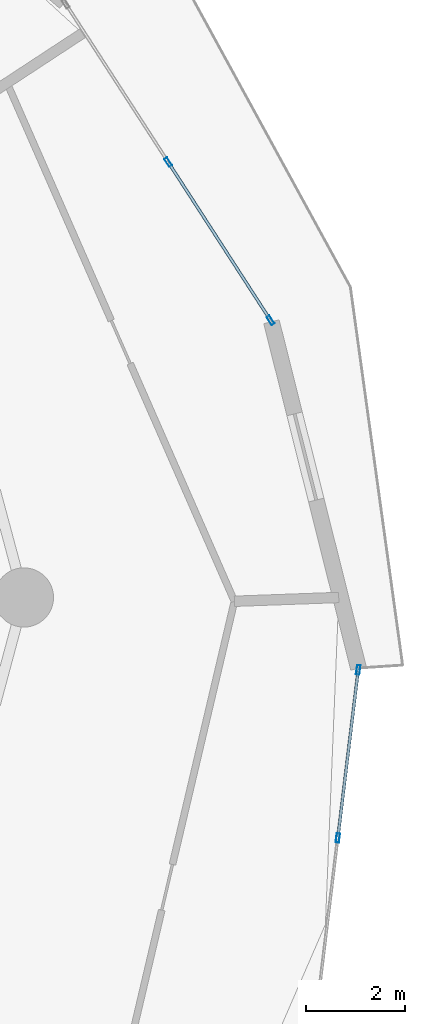
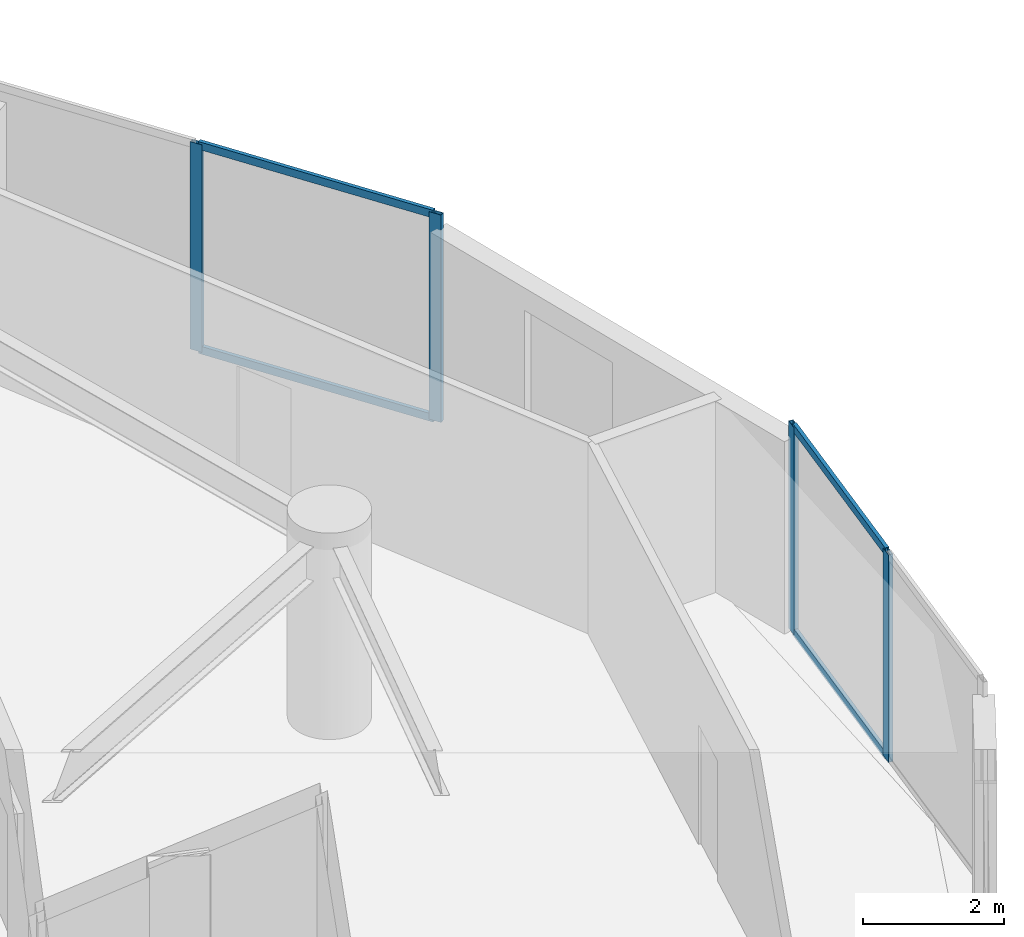
# One storey, part 14 of 26: 8 members, 2 elements without a shape of their own.
"""IFC4 building model written with IfcOpenShell, lengths in metres."""

import ifcopenshell
import ifcopenshell.guid

model = None  # the IFC model being written
_history = None  # IfcOwnerHistory: only IFC2X3 demands one
_inside = {}  # id of a spatial element -> (the spatial element, [elements in it])
_under = {}  # id of a project, library or spatial element -> (it, [spatial elements below it])
_declared = {}  # id of a project -> (the project, [libraries it declares])
_typed = {}  # id of a type object -> (the type object, [elements of that type])
_made_of = {}  # id of a material, layer set ... -> (it, [elements and type objects made of it])


def new_model(schema):
    """Start an empty IFC model of exactly this schema.

    Asked for "IFC4X3", IfcOpenShell would pick the latest addendum, in which some entities
    have other attributes; the version numbers below select the first issue.
    IFC2X3 requires an IfcOwnerHistory on every rooted entity: one is made here for all.
    """
    global model, _history
    if schema == "IFC4X3":
        model = ifcopenshell.file(schema_version=(4, 3, 0, 0))
    else:
        model = ifcopenshell.file(schema=schema)
    _inside.clear()
    _under.clear()
    _declared.clear()
    _typed.clear()
    _made_of.clear()
    _history = None
    if model.schema == "IFC2X3":
        org = make("IfcOrganization", Name="unknown")
        user = make(
            "IfcPersonAndOrganization",
            ThePerson=make("IfcPerson", FamilyName="unknown"),
            TheOrganization=org,
        )
        app = make(
            "IfcApplication",
            ApplicationDeveloper=org,
            Version="unknown",
            ApplicationFullName="unknown",
            ApplicationIdentifier="unknown",
        )
        _history = make(
            "IfcOwnerHistory",
            OwningUser=user,
            OwningApplication=app,
            ChangeAction="ADDED",
            CreationDate=0,
        )
    return model


def make(cls, **values):
    """One entity of the class cls with the attributes given. An attribute that is None is left unset."""
    return model.create_entity(
        cls, **{name: value for name, value in values.items() if value is not None}
    )


def rooted(cls, **values):
    """An entity with a GlobalId (a new one), such as an element, a storey or a relation."""
    return make(cls, GlobalId=ifcopenshell.guid.new(), OwnerHistory=_history, **values)


def si_unit(unit_type, name, prefix=None):
    """IfcSIUnit, for example si_unit("LENGTHUNIT", "METRE", prefix="MILLI")."""
    return make("IfcSIUnit", UnitType=unit_type, Prefix=prefix, Name=name)


def assignment(units):
    """IfcUnitAssignment: the units of a project."""
    return None if units is None else make("IfcUnitAssignment", Units=units)


def point(xyz):
    """IfcCartesianPoint."""
    return None if xyz is None else make("IfcCartesianPoint", Coordinates=xyz)


def direction(xyz):
    """IfcDirection."""
    return None if xyz is None else make("IfcDirection", DirectionRatios=xyz)


def frame(location, z_axis=None, x_axis=None):
    """IfcAxis2Placement3D, a coordinate frame: its origin and axes. An axis left out is left unset."""
    return make(
        "IfcAxis2Placement3D",
        Location=point(location),
        Axis=direction(z_axis),
        RefDirection=direction(x_axis),
    )


def frame_2d(location, x_axis=None):
    """IfcAxis2Placement2D, a coordinate frame in the plane: its origin and x axis."""
    return make(
        "IfcAxis2Placement2D", Location=point(location), RefDirection=direction(x_axis)
    )


def origin():
    """The frame at (0, 0, 0) with its axes left unset."""
    return frame((0.0, 0.0, 0.0))


def origin_2d():
    """The frame at (0, 0) in the plane with its x axis left unset."""
    return frame_2d((0.0, 0.0))


def place(relative_to, where):
    """IfcLocalPlacement: puts the frame where relative to a parent placement (None: the world)."""
    return make(
        "IfcLocalPlacement", PlacementRelTo=relative_to, RelativePlacement=where
    )


def context(
    kind, dimensions, precision=None, world=None, true_north=None, identifier=None
):
    """IfcGeometricRepresentationContext, for example the 3D "Model" context."""
    return make(
        "IfcGeometricRepresentationContext",
        ContextIdentifier=identifier,
        ContextType=kind,
        CoordinateSpaceDimension=dimensions,
        Precision=precision,
        WorldCoordinateSystem=world,
        TrueNorth=true_north,
    )


def subcontext(parent, identifier, kind, view, scale=None):
    """IfcGeometricRepresentationSubContext, for example "Body" below "Model"."""
    return make(
        "IfcGeometricRepresentationSubContext",
        ContextIdentifier=identifier,
        ContextType=kind,
        ParentContext=parent,
        TargetScale=scale,
        TargetView=view,
    )


def project(units=None, contexts=None):
    """IfcProject with its units and contexts."""
    return rooted(
        "IfcProject",
        Name="project",
        RepresentationContexts=contexts,
        UnitsInContext=assignment(units),
    )


def spatial(cls, under=None, at=None, **own):
    """A site, building, storey or space (cls), placed at a placement, below another one or the project."""
    s = rooted(cls, ObjectPlacement=at, **own)
    if under is not None:
        _under.setdefault(under.id(), (under, []))[1].append(s)
    return s


def profile(cls, at=None, kind="AREA", **sizes):
    """A parametric profile (cls). Its sizes go by their IFC names, for example OverallWidth=200.0."""
    return make(cls, ProfileType=kind, Position=at, **sizes)


def hollow_rectangle(**sizes):
    """IfcRectangleHollowProfileDef."""
    return profile("IfcRectangleHollowProfileDef", **sizes)


def extrude(swept, where, along, depth):
    """IfcExtrudedAreaSolid: the profile swept, set in the frame where, extruded along a direction by depth."""
    return make(
        "IfcExtrudedAreaSolid",
        SweptArea=swept,
        Position=where,
        ExtrudedDirection=direction(along),
        Depth=depth,
    )


def shape(context_of_items, identifier, shape_type, items):
    """IfcShapeRepresentation: the items that make up one representation, for example the "Body"."""
    return make(
        "IfcShapeRepresentation",
        ContextOfItems=context_of_items,
        RepresentationIdentifier=identifier,
        RepresentationType=shape_type,
        Items=items,
    )


def source(mapping_origin, context_of_items, identifier, shape_type, items):
    """IfcRepresentationMap: a shape defined once, which mapped items show again and again."""
    return make(
        "IfcRepresentationMap",
        MappingOrigin=mapping_origin,
        MappedRepresentation=shape(context_of_items, identifier, shape_type, items),
    )


def transform(
    local_origin,
    x_axis=None,
    y_axis=None,
    z_axis=None,
    scale=None,
    scale2=None,
    scale3=None,
    uniform=True,
):
    """IfcCartesianTransformationOperator3D, or its non-uniform kind. x_axis, y_axis, z_axis: its Axis1, 2, 3."""
    if uniform:
        return make(
            "IfcCartesianTransformationOperator3D",
            Axis1=direction(x_axis),
            Axis2=direction(y_axis),
            LocalOrigin=point(local_origin),
            Scale=scale,
            Axis3=direction(z_axis),
        )
    return make(
        "IfcCartesianTransformationOperator3DnonUniform",
        Axis1=direction(x_axis),
        Axis2=direction(y_axis),
        LocalOrigin=point(local_origin),
        Scale=scale,
        Axis3=direction(z_axis),
        Scale2=scale2,
        Scale3=scale3,
    )


def mapped(mapping_source, mapping_target):
    """IfcMappedItem: shows the shape of a source again, moved by a transform."""
    return make(
        "IfcMappedItem", MappingSource=mapping_source, MappingTarget=mapping_target
    )


def material(Name=None, Category=None):
    """IfcMaterial."""
    return make("IfcMaterial", Name=Name, Category=Category)


def layer(
    of_material, thickness, ventilated=None, Name=None, Category=None, Priority=None
):
    """IfcMaterialLayer: one layer of a wall or slab, of a material (None: an air gap)."""
    return make(
        "IfcMaterialLayer",
        Material=of_material,
        LayerThickness=thickness,
        IsVentilated=ventilated,
        Name=Name,
        Category=Category,
        Priority=Priority,
    )


def layer_set(layers, Name=None):
    """IfcMaterialLayerSet."""
    return make("IfcMaterialLayerSet", MaterialLayers=layers, LayerSetName=Name)


def material_profile(
    of_material, cross_section, Name=None, Category=None, Priority=None
):
    """IfcMaterialProfile: a cross section and its material."""
    return make(
        "IfcMaterialProfile",
        Name=Name,
        Material=of_material,
        Profile=cross_section,
        Priority=Priority,
        Category=Category,
    )


def profile_set(profiles, Name=None, composite=None):
    """IfcMaterialProfileSet."""
    return make(
        "IfcMaterialProfileSet",
        Name=Name,
        MaterialProfiles=profiles,
        CompositeProfile=composite,
    )


def made_of(thing, what):
    """Note that an element or type object is made of a material, layer set ...; save() writes the relation."""
    if what is not None:
        _made_of.setdefault(what.id(), (what, []))[1].append(thing)
    return thing


def type_object(cls, material=None, **own):
    """A type object (cls), such as IfcWallType, which elements share."""
    return made_of(rooted(cls, **own), material)


def element(
    cls,
    number,
    at=None,
    inside=None,
    cuts=None,
    type_object=None,
    material=None,
    context=None,
    identifier="Body",
    shape_type=None,
    held_by="IfcProductDefinitionShape",
    body=None,
    shapes=None,
    **own,
):
    """One element of the class cls, such as IfcWall. Its Tag is "e" and its number.

    at: its placement. inside: the storey or other place that contains it. cuts: it is an
    opening in that element (IfcRelVoidsElement). A single representation is given by context,
    identifier, shape_type and body (its items); several are given by shapes. held_by: the class
    of the entity that holds the representations. save() writes the other relations.
    """
    e = rooted(cls, Tag="e%d" % number, ObjectPlacement=at, **own)
    if body is not None:
        shapes = [shape(context, identifier, shape_type, body)]
    if shapes is not None:
        e.Representation = make(held_by, Representations=shapes)
    if inside is not None:
        _inside.setdefault(inside.id(), (inside, []))[1].append(e)
    if cuts is not None:
        rooted(
            "IfcRelVoidsElement", RelatingBuildingElement=cuts, RelatedOpeningElement=e
        )
    if type_object is not None:
        _typed.setdefault(type_object.id(), (type_object, []))[1].append(e)
    return made_of(e, material)


def aggregate(whole, parts):
    """IfcRelAggregates: a whole, such as a stair, and the parts it consists of."""
    return rooted("IfcRelAggregates", RelatingObject=whole, RelatedObjects=parts)


def save(model, path):
    """Write the relations noted so far, then the file.

    IfcRelAggregates (storeys below a building ...), IfcRelContainedInSpatialStructure (elements
    in a storey), IfcRelDefinesByType, IfcRelAssociatesMaterial and IfcRelDeclares: one each for
    every whole, place, type object, material and project.
    """
    for whole, parts in _under.values():
        aggregate(whole, parts)
    for where, things in _inside.values():
        rooted(
            "IfcRelContainedInSpatialStructure",
            RelatedElements=things,
            RelatingStructure=where,
        )
    for kind, things in _typed.values():
        rooted("IfcRelDefinesByType", RelatedObjects=things, RelatingType=kind)
    for what, things in _made_of.values():
        rooted("IfcRelAssociatesMaterial", RelatedObjects=things, RelatingMaterial=what)
    for by, libraries in _declared.values():
        rooted("IfcRelDeclares", RelatingContext=by, RelatedDefinitions=libraries)
    model.write(path)


model = new_model("IFC4")

# Units and contexts
model_context = context("Model", 3, precision=1e-05, world=origin(), true_north=direction((0.0, 1.0)))
body_context = subcontext(model_context, "Body", "Model", "MODEL_VIEW")
ifc_project = project(units=[si_unit("LENGTHUNIT", "METRE"), si_unit("AREAUNIT", "SQUARE_METRE"), si_unit("VOLUMEUNIT", "CUBIC_METRE"), si_unit("PLANEANGLEUNIT", "RADIAN"), si_unit("MASSUNIT", "GRAM", prefix="KILO")], contexts=[model_context])

# Site, building, storey
site_placement = place(None, origin())
site = spatial("IfcSite", under=ifc_project, at=site_placement, CompositionType="ELEMENT")
building_placement = place(site_placement, origin())
building = spatial("IfcBuilding", under=site, at=building_placement, Name="Solvirekh Grand Hotel", CompositionType="ELEMENT")
storey_placement = place(building_placement, frame((0.0, 0.0, 68.0)))
storey = spatial("IfcBuildingStorey", under=building, at=storey_placement, Name="L16", CompositionType="ELEMENT", Elevation=68.0)

# Curtain wall, members
ifc_material = material(Name="Anodized Bronze Aluminium 6063-T6", Category="aluminium")
ifc_layer = layer(ifc_material, 0.18994140625)
ifc_layer_set = layer_set([ifc_layer], Name="Anodized Bronze Aluminium 6063-T6")
curtain_wall_type = type_object("IfcCurtainWallType", Name="CW_Sys2_LowZoneFlushBronzeCW", PredefinedType="NOTDEFINED", material=ifc_layer_set)
curtain_wall_1_placement = place(storey_placement, origin())
curtain_wall_1 = element("IfcCurtainWall", 1, at=curtain_wall_1_placement, inside=storey, type_object=curtain_wall_type, Name="L16 unitised bronze-glass curtain wall CW-L16-C01", PredefinedType="NOTDEFINED")
ifc_material_profile_1 = material_profile(ifc_material, hollow_rectangle(XDim=0.070068359375, YDim=0.18994140625, WallThickness=0.0048828125, at=origin_2d()), Name="ALU RHS 190X70X5")
ifc_profile_set_1 = profile_set([ifc_material_profile_1], Name="Anodized Bronze Aluminium 6063-T6")
member_type_1 = type_object("IfcMemberType", Name="CWMullion_Sys2", PredefinedType="MULLION", material=ifc_profile_set_1)
shared_shape_1 = source(origin(), body_context, "Body", "SweptSolid", [
    extrude(hollow_rectangle(XDim=0.070068359375, YDim=0.18994140625, WallThickness=0.0048828125, at=origin_2d()), origin(), (0.0, 0.0, 1.0), 3.60009765625),
])
member_1_placement = place(storey_placement, frame((24.95751953125, -4.8701171875, 0.0), z_axis=(0.0, 0.0, 1.0), x_axis=(-0.992707104248, 0.12055125539, 0.0)))
member_1 = element("IfcMember", 2, at=member_1_placement, type_object=member_type_1, Name="U02 mullion 2", PredefinedType="MULLION", context=body_context, shape_type="MappedRepresentation", body=[
    mapped(shared_shape_1, transform((0.0, 0.0, 0.0), x_axis=(1.0, 0.0, 0.0), y_axis=(0.0, 1.0, 0.0), z_axis=(0.0, 0.0, 1.0), scale=1.0)),
])
member_2_placement = place(storey_placement, frame((25.370849609375, -1.466796875, 0.0), z_axis=(0.0, 0.0, 1.0), x_axis=(-0.992707104248, 0.12055125539, 0.0)))
member_2 = element("IfcMember", 3, at=member_2_placement, type_object=member_type_1, Name="U02 mullion 3", PredefinedType="MULLION", context=body_context, shape_type="MappedRepresentation", body=[
    mapped(shared_shape_1, transform((0.0, 0.0, 0.0), x_axis=(1.0, 0.0, 0.0), y_axis=(0.0, 1.0, 0.0), z_axis=(0.0, 0.0, 1.0), scale=1.0)),
])

curtain_wall_2_placement = place(storey_placement, origin())
curtain_wall_2 = element("IfcCurtainWall", 4, at=curtain_wall_2_placement, inside=storey, type_object=curtain_wall_type, Name="L16 unitised bronze-glass curtain wall CW-L16-C03", PredefinedType="NOTDEFINED")
member_3_placement = place(storey_placement, frame((23.593994140625, 5.6123046875, 0.0), z_axis=(0.0, 0.0, 1.0), x_axis=(-0.839559711127, -0.543267421675, 0.0)))
member_3 = element("IfcMember", 5, at=member_3_placement, type_object=member_type_1, Name="U02 mullion 1", PredefinedType="MULLION", context=body_context, shape_type="MappedRepresentation", body=[
    mapped(shared_shape_1, transform((0.0, 0.0, 0.0), x_axis=(1.0, 0.0, 0.0), y_axis=(0.0, 1.0, 0.0), z_axis=(0.0, 0.0, 1.0), scale=1.0)),
])
member_4_placement = place(storey_placement, frame((21.52001953125, 8.8173828125, 0.0), z_axis=(0.0, 0.0, 1.0), x_axis=(-0.839559711127, -0.543267421675, 0.0)))
member_4 = element("IfcMember", 6, at=member_4_placement, type_object=member_type_1, Name="U02 mullion 2", PredefinedType="MULLION", context=body_context, shape_type="MappedRepresentation", body=[
    mapped(shared_shape_1, transform((0.0, 0.0, 0.0), x_axis=(1.0, 0.0, 0.0), y_axis=(0.0, 1.0, 0.0), z_axis=(0.0, 0.0, 1.0), scale=1.0)),
])
ifc_material_profile_2 = material_profile(ifc_material, hollow_rectangle(XDim=0.06005859375, YDim=0.135009765625, WallThickness=0.00390625, at=origin_2d()), Name="ALU RHS 135X60X4")
ifc_profile_set_2 = profile_set([ifc_material_profile_2], Name="Anodized Bronze Aluminium 6063-T6")
member_type_2 = type_object("IfcMemberType", Name="CWTransom_Sys2", PredefinedType="USERDEFINED", material=ifc_profile_set_2)
shared_shape_2 = source(origin(), body_context, "Body", "SweptSolid", [
    extrude(hollow_rectangle(XDim=0.06005859375, YDim=0.135009765625, WallThickness=0.00390625, at=origin_2d()), origin(), (0.0, 0.0, 1.0), 3.74755859375),
])
member_5_placement = place(storey_placement, frame((23.574951171875, 5.641845703125, 0.030029296875), z_axis=(-0.543267485557, 0.839559669789, 0.0), x_axis=(-0.839559669789, -0.543267485557, 0.0)))
member_5 = element("IfcMember", 7, at=member_5_placement, type_object=member_type_2, Name="U02 transom 1.1", ObjectType="TRANSOM", PredefinedType="USERDEFINED", context=body_context, shape_type="MappedRepresentation", body=[
    mapped(shared_shape_2, transform((0.0, 0.0, 0.0), x_axis=(1.0, 0.0, 0.0), y_axis=(0.0, 1.0, 0.0), z_axis=(0.0, 0.0, 1.0), scale=1.0)),
])
member_6_placement = place(storey_placement, frame((23.574951171875, 5.641845703125, 3.570068359375), z_axis=(-0.543267485557, 0.839559669789, 0.0), x_axis=(-0.839559669789, -0.543267485557, 0.0)))
member_6 = element("IfcMember", 8, at=member_6_placement, type_object=member_type_2, Name="U02 transom 1.2", ObjectType="TRANSOM", PredefinedType="USERDEFINED", context=body_context, shape_type="MappedRepresentation", body=[
    mapped(shared_shape_2, transform((0.0, 0.0, 0.0), x_axis=(1.0, 0.0, 0.0), y_axis=(0.0, 1.0, 0.0), z_axis=(0.0, 0.0, 1.0), scale=1.0)),
])
aggregate(curtain_wall_2, [member_3, member_4, member_5, member_6])

# Member
shared_shape_3 = source(origin(), body_context, "Body", "SweptSolid", [
    extrude(hollow_rectangle(XDim=0.06005859375, YDim=0.135009765625, WallThickness=0.00390625, at=origin_2d()), origin(), (0.0, 0.0, 1.0), 3.358154296875),
])
member_7_placement = place(storey_placement, frame((24.961669921875, -4.835205078125, 0.030029296875), z_axis=(0.120535449363, 0.992709023555, 0.0), x_axis=(-0.992709023555, 0.120535449363, 0.0)))
member_7 = element("IfcMember", 9, at=member_7_placement, type_object=member_type_2, Name="U02 transom 2.1", ObjectType="TRANSOM", PredefinedType="USERDEFINED", context=body_context, shape_type="MappedRepresentation", body=[
    mapped(shared_shape_3, transform((0.0, 0.0, 0.0), x_axis=(1.0, 0.0, 0.0), y_axis=(0.0, 1.0, 0.0), z_axis=(0.0, 0.0, 1.0), scale=1.0)),
])

member_8_placement = place(storey_placement, frame((24.961669921875, -4.835205078125, 3.570068359375), z_axis=(0.120535449363, 0.992709023555, 0.0), x_axis=(-0.992709023555, 0.120535449363, 0.0)))
member_8 = element("IfcMember", 10, at=member_8_placement, type_object=member_type_2, Name="U02 transom 2.2", ObjectType="TRANSOM", PredefinedType="USERDEFINED", context=body_context, shape_type="MappedRepresentation", body=[
    mapped(shared_shape_3, transform((0.0, 0.0, 0.0), x_axis=(1.0, 0.0, 0.0), y_axis=(0.0, 1.0, 0.0), z_axis=(0.0, 0.0, 1.0), scale=1.0)),
])

aggregate(curtain_wall_1, [member_1, member_2, member_7, member_8])

save(model, "model.ifc")
